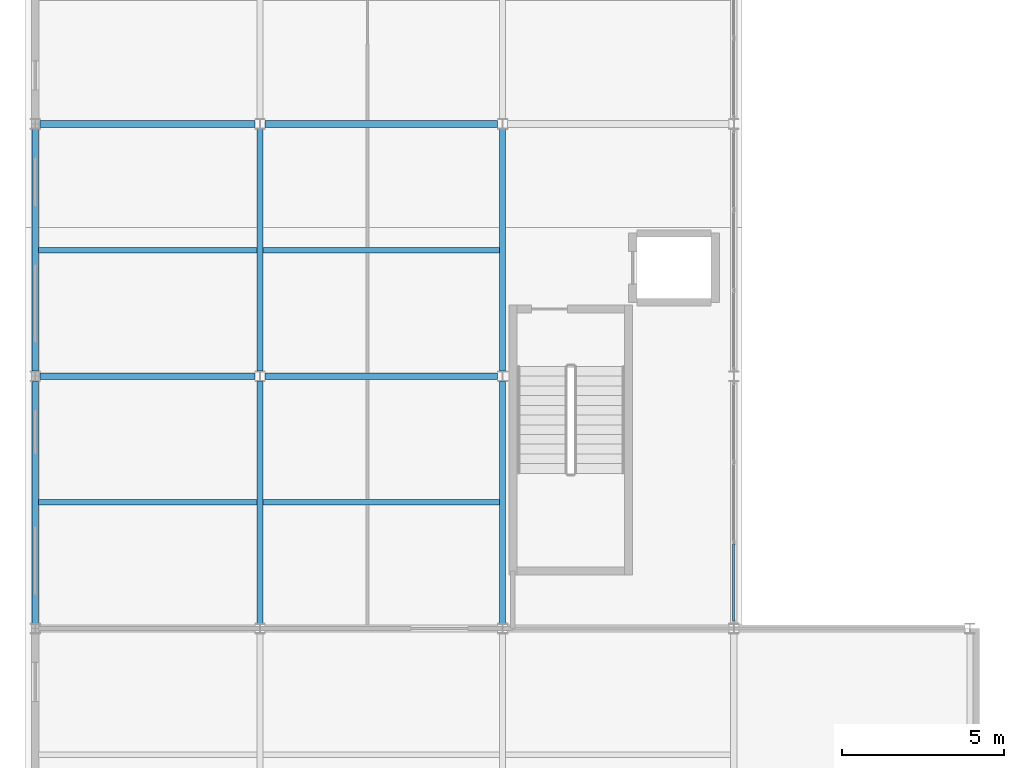
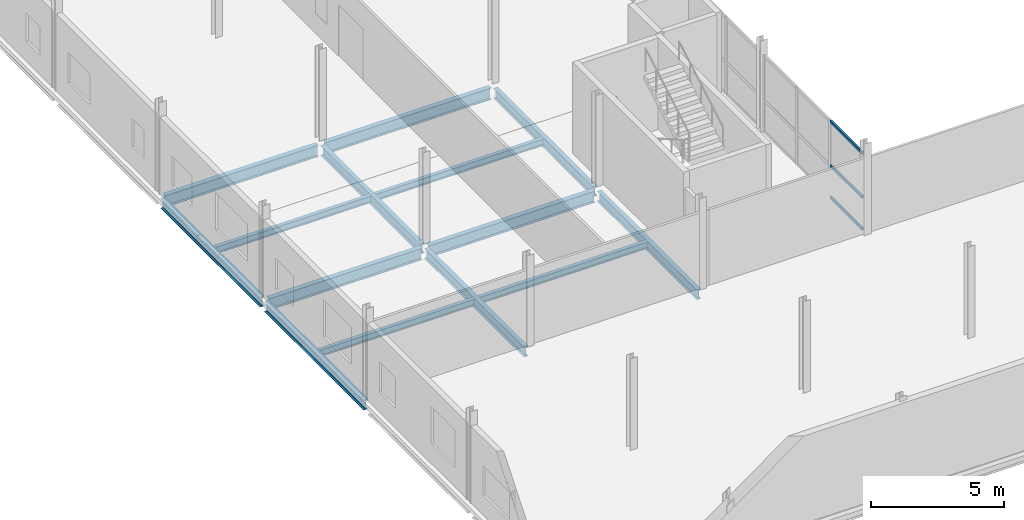
# One storey, part 8 of 60: 14 beams, 3 members, 1 element without a shape of its own.
"""IFC4 building model written with IfcOpenShell, lengths in metres."""

from ifc_helpers import new_model, si_unit, direction, frame, origin, origin_2d, place, context, subcontext, project, spatial, hollow_rectangle, i_section, extrude, material, layer, layer_set, material_profile, profile_set, type_object, element, aggregate, save


model = new_model("IFC4")

# Units and contexts
model_context = context("Model", 3, precision=1e-05, world=origin(), true_north=direction((0.0, 1.0)))
body_context = subcontext(model_context, "Body", "Model", "MODEL_VIEW")
ifc_project = project(units=[si_unit("LENGTHUNIT", "METRE"), si_unit("AREAUNIT", "SQUARE_METRE"), si_unit("VOLUMEUNIT", "CUBIC_METRE"), si_unit("PLANEANGLEUNIT", "RADIAN"), si_unit("MASSUNIT", "GRAM", prefix="KILO")], contexts=[model_context])

# Site, building, storey
site_placement = place(None, origin())
site = spatial("IfcSite", under=ifc_project, at=site_placement, CompositionType="ELEMENT")
building_placement = place(site_placement, origin())
building = spatial("IfcBuilding", under=site, at=building_placement, Name="Quillay Park Conservatory", CompositionType="ELEMENT")
storey_placement = place(building_placement, frame((0.0, 0.0, 9.89990234375)))
storey = spatial("IfcBuildingStorey", under=building, at=storey_placement, Name="L02", CompositionType="ELEMENT", Elevation=9.89990234375)

# Beams
ifc_material_1 = material(Name="Steel ASTM A992 Grade 50", Category="steel")
ifc_material_profile_1 = material_profile(ifc_material_1, i_section(OverallWidth=0.166015625, OverallDepth=0.31298828125, WebThickness=0.006591796875, FlangeThickness=0.01123046875, FilletRadius=0.010009765625, at=origin_2d()), Name="W310x45")
ifc_profile_set_1 = profile_set([ifc_material_profile_1], Name="Steel ASTM A992 Grade 50")
beam_type_1 = type_object("IfcBeamType", Name="COMPOSITE FLOOR JOIST W310 X45", PredefinedType="JOIST", material=ifc_profile_set_1)
beam_1_placement = place(storey_placement, frame((0.64599609375, 19.5, -0.351318359375), z_axis=(1.0, 0.0, 0.0), x_axis=(0.0, 1.0, 0.0)))
element("IfcBeam", 1, at=beam_1_placement, inside=storey, type_object=beam_type_1, Name="L02 beam BM-V3J-1386", PredefinedType="JOIST", context=body_context, shape_type="SweptSolid", body=[
    extrude(i_section(OverallWidth=0.166015625, OverallDepth=0.31298828125, WebThickness=0.006591796875, FlangeThickness=0.01123046875, FilletRadius=0.010009765625, at=origin_2d()), origin(), (0.0, 0.0, 1.0), 6.758056640625),
])
beam_2_placement = place(storey_placement, frame((7.595947265625, 19.5, -0.351318359375), z_axis=(1.0, 0.0, 0.0), x_axis=(0.0, 1.0, 0.0)))
element("IfcBeam", 2, at=beam_2_placement, inside=storey, type_object=beam_type_1, Name="L02 beam BM-V3J-1387", PredefinedType="JOIST", context=body_context, shape_type="SweptSolid", body=[
    extrude(i_section(OverallWidth=0.166015625, OverallDepth=0.31298828125, WebThickness=0.006591796875, FlangeThickness=0.01123046875, FilletRadius=0.010009765625, at=origin_2d()), origin(), (0.0, 0.0, 1.0), 7.30810546875),
])
beam_3_placement = place(storey_placement, frame((0.64599609375, 27.300048828125, -0.351318359375), z_axis=(1.0, 0.0, 0.0), x_axis=(0.0, 1.0, 0.0)))
element("IfcBeam", 3, at=beam_3_placement, inside=storey, type_object=beam_type_1, Name="L02 beam BM-V3J-1388", PredefinedType="JOIST", context=body_context, shape_type="SweptSolid", body=[
    extrude(i_section(OverallWidth=0.166015625, OverallDepth=0.31298828125, WebThickness=0.006591796875, FlangeThickness=0.01123046875, FilletRadius=0.010009765625, at=origin_2d()), origin(), (0.0, 0.0, 1.0), 6.758056640625),
])
beam_4_placement = place(storey_placement, frame((7.595947265625, 27.300048828125, -0.351318359375), z_axis=(1.0, 0.0, 0.0), x_axis=(0.0, 1.0, 0.0)))
element("IfcBeam", 4, at=beam_4_placement, inside=storey, type_object=beam_type_1, Name="L02 beam BM-V3J-1389", PredefinedType="JOIST", context=body_context, shape_type="SweptSolid", body=[
    extrude(i_section(OverallWidth=0.166015625, OverallDepth=0.31298828125, WebThickness=0.006591796875, FlangeThickness=0.01123046875, FilletRadius=0.010009765625, at=origin_2d()), origin(), (0.0, 0.0, 1.0), 7.30810546875),
])

# Curtain wall, members
ifc_material_2 = material(Name="Thermally Broken Anodised Aluminium 6063-T6", Category="aluminium")
ifc_layer = layer(ifc_material_2, 0.1650390625)
ifc_layer_set = layer_set([ifc_layer], Name="UNITISED CURTAIN WALL PODIUM (Thermally Broken Anodised Aluminium 6063-T6)")
curtain_wall_type = type_object("IfcCurtainWallType", Name="UNITISED CURTAIN WALL PODIUM", PredefinedType="USERDEFINED", material=ifc_layer_set)
curtain_wall_placement = place(storey_placement, origin())
curtain_wall = element("IfcCurtainWall", 5, at=curtain_wall_placement, inside=storey, type_object=curtain_wall_type, Name="L02 Unitised Curtain Wall 205", ObjectType="UNITISED CURTAIN WALL", PredefinedType="USERDEFINED")
ifc_material_3 = material(Name="Thermally Broken Anodised Aluminium 6063-T6", Category="aluminium")
ifc_material_profile_2 = material_profile(ifc_material_3, hollow_rectangle(XDim=0.070068359375, YDim=0.1298828125, WallThickness=0.003173828125, at=origin_2d()), Name="AL70x130x3.2")
ifc_profile_set_2 = profile_set([ifc_material_profile_2], Name="Thermally Broken Anodised Aluminium 6063-T6")
member_type = type_object("IfcMemberType", Name="CURTAIN WALL TRANSOM 70 X130", PredefinedType="USERDEFINED", material=ifc_profile_set_2)
member_1_placement = place(storey_placement, frame((22.14990234375, 18.21826171875, 0.03515625), z_axis=(0.0, -1.0, 0.0), x_axis=(1.0, 0.0, 0.0)))
member_1 = element("IfcMember", 6, at=member_1_placement, type_object=member_type, Name="CW-P1 transom 3.1", ObjectType="TRANSOM", PredefinedType="USERDEFINED", context=body_context, shape_type="SweptSolid", body=[
    extrude(hollow_rectangle(XDim=0.070068359375, YDim=0.1298828125, WallThickness=0.003173828125, at=origin_2d()), origin(), (0.0, 0.0, 1.0), 2.38818359375),
])
member_2_placement = place(storey_placement, frame((22.14990234375, 18.21826171875, 1.49267578125), z_axis=(0.0, -1.0, 0.0), x_axis=(1.0, 0.0, 0.0)))
member_2 = element("IfcMember", 7, at=member_2_placement, type_object=member_type, Name="CW-P1 transom 3.2", ObjectType="TRANSOM", PredefinedType="USERDEFINED", context=body_context, shape_type="SweptSolid", body=[
    extrude(hollow_rectangle(XDim=0.070068359375, YDim=0.1298828125, WallThickness=0.003173828125, at=origin_2d()), origin(), (0.0, 0.0, 1.0), 2.38818359375),
])
member_3_placement = place(storey_placement, frame((22.14990234375, 18.21826171875, 3.51904296875), z_axis=(0.0, -1.0, 0.0), x_axis=(1.0, 0.0, 0.0)))
member_3 = element("IfcMember", 8, at=member_3_placement, type_object=member_type, Name="CW-P1 transom 3.3", ObjectType="TRANSOM", PredefinedType="USERDEFINED", context=body_context, shape_type="SweptSolid", body=[
    extrude(hollow_rectangle(XDim=0.070068359375, YDim=0.1298828125, WallThickness=0.003173828125, at=origin_2d()), origin(), (0.0, 0.0, 1.0), 2.38818359375),
])
aggregate(curtain_wall, [member_1, member_2, member_3])

# Beams
ifc_material_4 = material(Name="Steel ASTM A992 Grade 50", Category="steel")
ifc_material_profile_3 = material_profile(ifc_material_4, i_section(OverallWidth=0.19189453125, OverallDepth=0.462890625, WebThickness=0.010498046875, FlangeThickness=0.017578125, FilletRadius=0.012939453125, at=origin_2d()), Name="W460x89")
ifc_profile_set_3 = profile_set([ifc_material_profile_3], Name="Steel ASTM A992 Grade 50")
beam_type_2 = type_object("IfcBeamType", Name="PRIMARY FLOOR GIRDER W460 X89", PredefinedType="BEAM", material=ifc_profile_set_3)
for number, where, z_axis, x_axis, name in (
    (9, (0.550048828125, 15.761474609375, -0.426513671875), (0.0, 1.0, 0.0), (-1.0, 0.0, 0.0), "L02 beam BM-V3Y-1352"),
    (10, (0.550048828125, 23.5615234375, -0.426513671875), (0.0, 1.0, 0.0), (-1.0, 0.0, 0.0), "L02 beam BM-V3Y-1353"),
    (11, (7.5, 15.761474609375, -0.426513671875), (0.0, 1.0, 0.0), (-1.0, 0.0, 0.0), "L02 beam BM-V3Y-1359"),
    (12, (7.5, 23.5615234375, -0.426513671875), (0.0, 1.0, 0.0), (-1.0, 0.0, 0.0), "L02 beam BM-V3Y-1360"),
    (13, (15.0, 15.761474609375, -0.426513671875), (0.0, 1.0, 0.0), (-1.0, 0.0, 0.0), "L02 beam BM-V3Y-1366"),
    (14, (15.0, 23.5615234375, -0.426513671875), (0.0, 1.0, 0.0), (-1.0, 0.0, 0.0), "L02 beam BM-V3Y-1367"),
):
    element("IfcBeam", number, at=place(storey_placement, frame(where, z_axis=z_axis, x_axis=x_axis)), inside=storey, type_object=beam_type_2, Name=name, PredefinedType="BEAM", context=body_context, shape_type="SweptSolid", body=[
        extrude(i_section(OverallWidth=0.19189453125, OverallDepth=0.462890625, WebThickness=0.010498046875, FlangeThickness=0.017578125, FilletRadius=0.012939453125, at=origin_2d()), origin(), (0.0, 0.0, 1.0), 7.47705078125),
    ])
ifc_material_5 = material(Name="Steel ASTM A992 Grade 50", Category="steel")
ifc_material_profile_4 = material_profile(ifc_material_5, i_section(OverallWidth=0.2109375, OverallDepth=0.5390625, WebThickness=0.01171875, FlangeThickness=0.018798828125, FilletRadius=0.013916015625, at=origin_2d()), Name="W530x109")
ifc_profile_set_4 = profile_set([ifc_material_profile_4], Name="Steel ASTM A992 Grade 50")
beam_type_3 = type_object("IfcBeamType", Name="PRIMARY FLOOR GIRDER W530 X109", PredefinedType="BEAM", material=ifc_profile_set_4)
beam_5_placement = place(storey_placement, frame((0.70458984375, 23.39990234375, -0.46435546875), z_axis=(1.0, 0.0, 0.0), x_axis=(0.0, 1.0, 0.0)))
element("IfcBeam", 15, at=beam_5_placement, inside=storey, type_object=beam_type_3, Name="L02 beam BM-V3X-1337", PredefinedType="BEAM", context=body_context, shape_type="SweptSolid", body=[
    extrude(i_section(OverallWidth=0.2109375, OverallDepth=0.5390625, WebThickness=0.01171875, FlangeThickness=0.018798828125, FilletRadius=0.013916015625, at=origin_2d()), origin(), (0.0, 0.0, 1.0), 6.640869140625),
])
beam_6_placement = place(storey_placement, frame((7.654541015625, 23.39990234375, -0.46435546875), z_axis=(1.0, 0.0, 0.0), x_axis=(0.0, 1.0, 0.0)))
element("IfcBeam", 16, at=beam_6_placement, inside=storey, type_object=beam_type_3, Name="L02 beam BM-V3X-1338", PredefinedType="BEAM", context=body_context, shape_type="SweptSolid", body=[
    extrude(i_section(OverallWidth=0.2109375, OverallDepth=0.5390625, WebThickness=0.01171875, FlangeThickness=0.018798828125, FilletRadius=0.013916015625, at=origin_2d()), origin(), (0.0, 0.0, 1.0), 7.19091796875),
])
beam_7_placement = place(storey_placement, frame((0.70458984375, 31.199951171875, -0.46435546875), z_axis=(1.0, 0.0, 0.0), x_axis=(0.0, 1.0, 0.0)))
element("IfcBeam", 17, at=beam_7_placement, inside=storey, type_object=beam_type_3, Name="L02 beam BM-V3X-1339", PredefinedType="BEAM", context=body_context, shape_type="SweptSolid", body=[
    extrude(i_section(OverallWidth=0.2109375, OverallDepth=0.5390625, WebThickness=0.01171875, FlangeThickness=0.018798828125, FilletRadius=0.013916015625, at=origin_2d()), origin(), (0.0, 0.0, 1.0), 6.640869140625),
])
beam_8_placement = place(storey_placement, frame((7.654541015625, 31.199951171875, -0.46435546875), z_axis=(1.0, 0.0, 0.0), x_axis=(0.0, 1.0, 0.0)))
element("IfcBeam", 18, at=beam_8_placement, inside=storey, type_object=beam_type_3, Name="L02 beam BM-V3X-1340", PredefinedType="BEAM", context=body_context, shape_type="SweptSolid", body=[
    extrude(i_section(OverallWidth=0.2109375, OverallDepth=0.5390625, WebThickness=0.01171875, FlangeThickness=0.018798828125, FilletRadius=0.013916015625, at=origin_2d()), origin(), (0.0, 0.0, 1.0), 7.19091796875),
])

save(model, "model.ifc")
